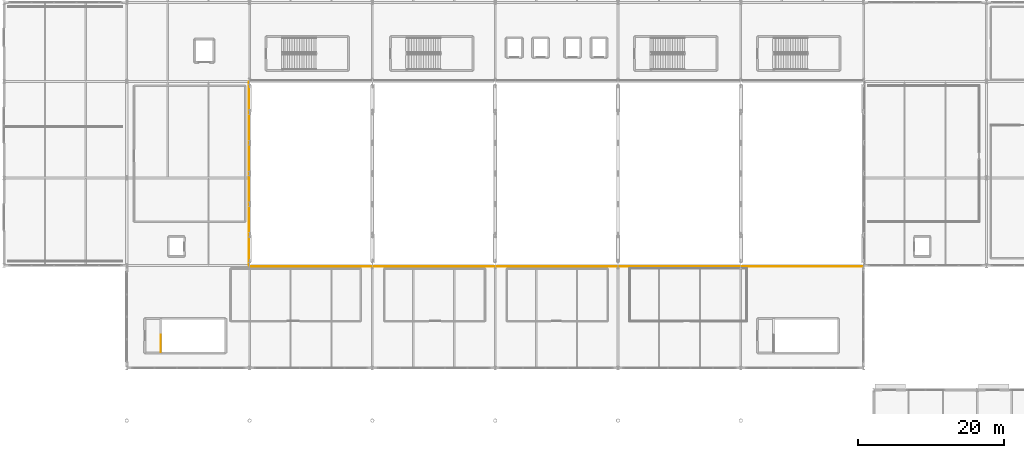
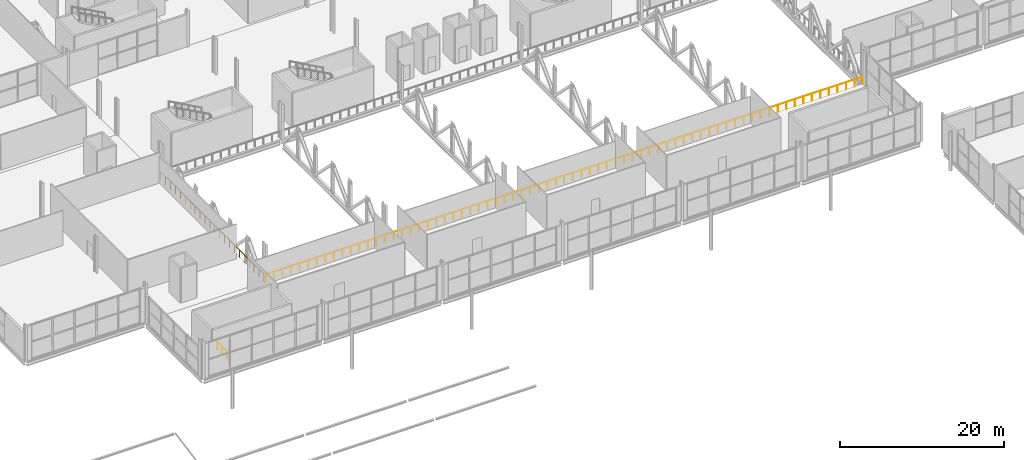
# One storey, part 70 of 84: 3 railings.
"""IFC4 building model written with IfcOpenShell, lengths in metres."""

from ifc_helpers import new_model, si_unit, direction, frame, origin, origin_2d, place, context, subcontext, project, spatial, circle, extrude, material, type_object, element, save


model = new_model("IFC4")

# Units and contexts
model_context = context("Model", 3, precision=1e-05, world=origin(), true_north=direction((0.0, 1.0)))
body_context = subcontext(model_context, "Body", "Model", "MODEL_VIEW")
ifc_project = project(units=[si_unit("LENGTHUNIT", "METRE"), si_unit("AREAUNIT", "SQUARE_METRE"), si_unit("VOLUMEUNIT", "CUBIC_METRE"), si_unit("PLANEANGLEUNIT", "RADIAN"), si_unit("MASSUNIT", "GRAM", prefix="KILO")], contexts=[model_context])

# Site, building, storey
site_placement = place(None, origin())
site = spatial("IfcSite", under=ifc_project, at=site_placement, CompositionType="ELEMENT")
building_placement = place(site_placement, origin())
building = spatial("IfcBuilding", under=site, at=building_placement, Name="Kimbaza Rail Terminus", CompositionType="ELEMENT")
storey_placement = place(building_placement, frame((0.0, 0.0, 5.39990234375)))
storey = spatial("IfcBuildingStorey", under=building, at=storey_placement, Name="L01", CompositionType="ELEMENT", Elevation=5.39990234375)

# Railings
ifc_material_1 = material(Name="Stainless steel atrium balustrade", Category="steel")
railing_type_1 = type_object("IfcRailingType", Name="ARC-RL-GRDI12", PredefinedType="GUARDRAIL", material=ifc_material_1)
railing_1_placement = place(storey_placement, frame((72.050048828125, 54.89990234375, 0.0)))
element("IfcRailing", 1, at=railing_1_placement, inside=storey, type_object=railing_type_1, Name="Safety Balustrade GRD-ATR-S", PredefinedType="GUARDRAIL", context=body_context, shape_type="SweptSolid", body=[
    extrude(circle(Radius=0.02392578125, at=origin_2d()), frame((0.0, 0.0, 1.10595703125), z_axis=(1.0, 0.0, 0.0), x_axis=(0.0, 1.0, 0.0)), (0.0, 0.0, 1.0), 83.89990234375),
    extrude(circle(Radius=0.02099609375, at=origin_2d()), origin(), (0.0, 0.0, 1.0), 1.081787109375),
    extrude(circle(Radius=0.02099609375, at=origin_2d()), frame((1.198486328125, 0.0, 0.0)), (0.0, 0.0, 1.0), 1.081787109375),
    extrude(circle(Radius=0.02099609375, at=origin_2d()), frame((2.397216796875, 0.0, 0.0)), (0.0, 0.0, 1.0), 1.081787109375),
    extrude(circle(Radius=0.02099609375, at=origin_2d()), frame((3.595703125, 0.0, 0.0)), (0.0, 0.0, 1.0), 1.081787109375),
    extrude(circle(Radius=0.02099609375, at=origin_2d()), frame((4.794189453125, 0.0, 0.0)), (0.0, 0.0, 1.0), 1.081787109375),
    extrude(circle(Radius=0.02099609375, at=origin_2d()), frame((5.992919921875, 0.0, 0.0)), (0.0, 0.0, 1.0), 1.081787109375),
    extrude(circle(Radius=0.02099609375, at=origin_2d()), frame((7.19140625, 0.0, 0.0)), (0.0, 0.0, 1.0), 1.081787109375),
    extrude(circle(Radius=0.02099609375, at=origin_2d()), frame((8.389892578125, 0.0, 0.0)), (0.0, 0.0, 1.0), 1.081787109375),
    extrude(circle(Radius=0.02099609375, at=origin_2d()), frame((9.588623046875, 0.0, 0.0)), (0.0, 0.0, 1.0), 1.081787109375),
    extrude(circle(Radius=0.02099609375, at=origin_2d()), frame((10.787109375, 0.0, 0.0)), (0.0, 0.0, 1.0), 1.081787109375),
    extrude(circle(Radius=0.02099609375, at=origin_2d()), frame((11.985595703125, 0.0, 0.0)), (0.0, 0.0, 1.0), 1.081787109375),
    extrude(circle(Radius=0.02099609375, at=origin_2d()), frame((13.184326171875, 0.0, 0.0)), (0.0, 0.0, 1.0), 1.081787109375),
    extrude(circle(Radius=0.02099609375, at=origin_2d()), frame((14.3828125, 0.0, 0.0)), (0.0, 0.0, 1.0), 1.081787109375),
    extrude(circle(Radius=0.02099609375, at=origin_2d()), frame((15.581298828125, 0.0, 0.0)), (0.0, 0.0, 1.0), 1.081787109375),
    extrude(circle(Radius=0.02099609375, at=origin_2d()), frame((16.780029296875, 0.0, 0.0)), (0.0, 0.0, 1.0), 1.081787109375),
    extrude(circle(Radius=0.02099609375, at=origin_2d()), frame((17.978515625, 0.0, 0.0)), (0.0, 0.0, 1.0), 1.081787109375),
    extrude(circle(Radius=0.02099609375, at=origin_2d()), frame((19.177001953125, 0.0, 0.0)), (0.0, 0.0, 1.0), 1.081787109375),
    extrude(circle(Radius=0.02099609375, at=origin_2d()), frame((20.375732421875, 0.0, 0.0)), (0.0, 0.0, 1.0), 1.081787109375),
    extrude(circle(Radius=0.02099609375, at=origin_2d()), frame((21.57421875, 0.0, 0.0)), (0.0, 0.0, 1.0), 1.081787109375),
    extrude(circle(Radius=0.02099609375, at=origin_2d()), frame((22.77294921875, 0.0, 0.0)), (0.0, 0.0, 1.0), 1.081787109375),
    extrude(circle(Radius=0.02099609375, at=origin_2d()), frame((23.971435546875, 0.0, 0.0)), (0.0, 0.0, 1.0), 1.081787109375),
    extrude(circle(Radius=0.02099609375, at=origin_2d()), frame((25.169921875, 0.0, 0.0)), (0.0, 0.0, 1.0), 1.081787109375),
    extrude(circle(Radius=0.02099609375, at=origin_2d()), frame((26.36865234375, 0.0, 0.0)), (0.0, 0.0, 1.0), 1.081787109375),
    extrude(circle(Radius=0.02099609375, at=origin_2d()), frame((27.567138671875, 0.0, 0.0)), (0.0, 0.0, 1.0), 1.081787109375),
    extrude(circle(Radius=0.02099609375, at=origin_2d()), frame((28.765625, 0.0, 0.0)), (0.0, 0.0, 1.0), 1.081787109375),
    extrude(circle(Radius=0.02099609375, at=origin_2d()), frame((29.96435546875, 0.0, 0.0)), (0.0, 0.0, 1.0), 1.081787109375),
    extrude(circle(Radius=0.02099609375, at=origin_2d()), frame((31.162841796875, 0.0, 0.0)), (0.0, 0.0, 1.0), 1.081787109375),
    extrude(circle(Radius=0.02099609375, at=origin_2d()), frame((32.361328125, 0.0, 0.0)), (0.0, 0.0, 1.0), 1.081787109375),
    extrude(circle(Radius=0.02099609375, at=origin_2d()), frame((33.56005859375, 0.0, 0.0)), (0.0, 0.0, 1.0), 1.081787109375),
    extrude(circle(Radius=0.02099609375, at=origin_2d()), frame((34.758544921875, 0.0, 0.0)), (0.0, 0.0, 1.0), 1.081787109375),
    extrude(circle(Radius=0.02099609375, at=origin_2d()), frame((35.95703125, 0.0, 0.0)), (0.0, 0.0, 1.0), 1.081787109375),
    extrude(circle(Radius=0.02099609375, at=origin_2d()), frame((37.15576171875, 0.0, 0.0)), (0.0, 0.0, 1.0), 1.081787109375),
    extrude(circle(Radius=0.02099609375, at=origin_2d()), frame((38.354248046875, 0.0, 0.0)), (0.0, 0.0, 1.0), 1.081787109375),
    extrude(circle(Radius=0.02099609375, at=origin_2d()), frame((39.552734375, 0.0, 0.0)), (0.0, 0.0, 1.0), 1.081787109375),
    extrude(circle(Radius=0.02099609375, at=origin_2d()), frame((40.75146484375, 0.0, 0.0)), (0.0, 0.0, 1.0), 1.081787109375),
    extrude(circle(Radius=0.02099609375, at=origin_2d()), frame((41.949951171875, 0.0, 0.0)), (0.0, 0.0, 1.0), 1.081787109375),
    extrude(circle(Radius=0.02099609375, at=origin_2d()), frame((43.1484375, 0.0, 0.0)), (0.0, 0.0, 1.0), 1.081787109375),
    extrude(circle(Radius=0.02099609375, at=origin_2d()), frame((44.34716796875, 0.0, 0.0)), (0.0, 0.0, 1.0), 1.081787109375),
    extrude(circle(Radius=0.02099609375, at=origin_2d()), frame((45.545654296875, 0.0, 0.0)), (0.0, 0.0, 1.0), 1.081787109375),
    extrude(circle(Radius=0.02099609375, at=origin_2d()), frame((46.744140625, 0.0, 0.0)), (0.0, 0.0, 1.0), 1.081787109375),
    extrude(circle(Radius=0.02099609375, at=origin_2d()), frame((47.94287109375, 0.0, 0.0)), (0.0, 0.0, 1.0), 1.081787109375),
    extrude(circle(Radius=0.02099609375, at=origin_2d()), frame((49.141357421875, 0.0, 0.0)), (0.0, 0.0, 1.0), 1.081787109375),
    extrude(circle(Radius=0.02099609375, at=origin_2d()), frame((50.33984375, 0.0, 0.0)), (0.0, 0.0, 1.0), 1.081787109375),
    extrude(circle(Radius=0.02099609375, at=origin_2d()), frame((51.53857421875, 0.0, 0.0)), (0.0, 0.0, 1.0), 1.081787109375),
    extrude(circle(Radius=0.02099609375, at=origin_2d()), frame((52.737060546875, 0.0, 0.0)), (0.0, 0.0, 1.0), 1.081787109375),
    extrude(circle(Radius=0.02099609375, at=origin_2d()), frame((53.935546875, 0.0, 0.0)), (0.0, 0.0, 1.0), 1.081787109375),
    extrude(circle(Radius=0.02099609375, at=origin_2d()), frame((55.13427734375, 0.0, 0.0)), (0.0, 0.0, 1.0), 1.081787109375),
    extrude(circle(Radius=0.02099609375, at=origin_2d()), frame((56.332763671875, 0.0, 0.0)), (0.0, 0.0, 1.0), 1.081787109375),
    extrude(circle(Radius=0.02099609375, at=origin_2d()), frame((57.53125, 0.0, 0.0)), (0.0, 0.0, 1.0), 1.081787109375),
    extrude(circle(Radius=0.02099609375, at=origin_2d()), frame((58.72998046875, 0.0, 0.0)), (0.0, 0.0, 1.0), 1.081787109375),
    extrude(circle(Radius=0.02099609375, at=origin_2d()), frame((59.928466796875, 0.0, 0.0)), (0.0, 0.0, 1.0), 1.081787109375),
    extrude(circle(Radius=0.02099609375, at=origin_2d()), frame((61.126953125, 0.0, 0.0)), (0.0, 0.0, 1.0), 1.081787109375),
    extrude(circle(Radius=0.02099609375, at=origin_2d()), frame((62.32568359375, 0.0, 0.0)), (0.0, 0.0, 1.0), 1.081787109375),
    extrude(circle(Radius=0.02099609375, at=origin_2d()), frame((63.524169921875, 0.0, 0.0)), (0.0, 0.0, 1.0), 1.081787109375),
    extrude(circle(Radius=0.02099609375, at=origin_2d()), frame((64.722900390625, 0.0, 0.0)), (0.0, 0.0, 1.0), 1.081787109375),
    extrude(circle(Radius=0.02099609375, at=origin_2d()), frame((65.92138671875, 0.0, 0.0)), (0.0, 0.0, 1.0), 1.081787109375),
    extrude(circle(Radius=0.02099609375, at=origin_2d()), frame((67.119873046875, 0.0, 0.0)), (0.0, 0.0, 1.0), 1.081787109375),
    extrude(circle(Radius=0.02099609375, at=origin_2d()), frame((68.318603515625, 0.0, 0.0)), (0.0, 0.0, 1.0), 1.081787109375),
    extrude(circle(Radius=0.02099609375, at=origin_2d()), frame((69.51708984375, 0.0, 0.0)), (0.0, 0.0, 1.0), 1.081787109375),
    extrude(circle(Radius=0.02099609375, at=origin_2d()), frame((70.715576171875, 0.0, 0.0)), (0.0, 0.0, 1.0), 1.081787109375),
    extrude(circle(Radius=0.02099609375, at=origin_2d()), frame((71.914306640625, 0.0, 0.0)), (0.0, 0.0, 1.0), 1.081787109375),
    extrude(circle(Radius=0.02099609375, at=origin_2d()), frame((73.11279296875, 0.0, 0.0)), (0.0, 0.0, 1.0), 1.081787109375),
    extrude(circle(Radius=0.02099609375, at=origin_2d()), frame((74.311279296875, 0.0, 0.0)), (0.0, 0.0, 1.0), 1.081787109375),
    extrude(circle(Radius=0.02099609375, at=origin_2d()), frame((75.510009765625, 0.0, 0.0)), (0.0, 0.0, 1.0), 1.081787109375),
    extrude(circle(Radius=0.02099609375, at=origin_2d()), frame((76.70849609375, 0.0, 0.0)), (0.0, 0.0, 1.0), 1.081787109375),
    extrude(circle(Radius=0.02099609375, at=origin_2d()), frame((77.906982421875, 0.0, 0.0)), (0.0, 0.0, 1.0), 1.081787109375),
    extrude(circle(Radius=0.02099609375, at=origin_2d()), frame((79.105712890625, 0.0, 0.0)), (0.0, 0.0, 1.0), 1.081787109375),
    extrude(circle(Radius=0.02099609375, at=origin_2d()), frame((80.30419921875, 0.0, 0.0)), (0.0, 0.0, 1.0), 1.081787109375),
    extrude(circle(Radius=0.02099609375, at=origin_2d()), frame((81.502685546875, 0.0, 0.0)), (0.0, 0.0, 1.0), 1.081787109375),
    extrude(circle(Radius=0.02099609375, at=origin_2d()), frame((82.701416015625, 0.0, 0.0)), (0.0, 0.0, 1.0), 1.081787109375),
    extrude(circle(Radius=0.02099609375, at=origin_2d()), frame((83.89990234375, 0.0, 0.0)), (0.0, 0.0, 1.0), 1.081787109375),
])
railing_2_placement = place(storey_placement, frame((71.89990234375, 80.14990234375, 0.0)))
element("IfcRailing", 2, at=railing_2_placement, inside=storey, type_object=railing_type_1, Name="Safety Balustrade GRD-ATR-W", PredefinedType="GUARDRAIL", context=body_context, shape_type="SweptSolid", body=[
    extrude(circle(Radius=0.02392578125, at=origin_2d()), frame((0.0, 0.0, 1.10595703125), z_axis=(0.0, -1.0, 0.0), x_axis=(1.0, 0.0, 0.0)), (0.0, 0.0, 1.0), 25.099853515625),
    extrude(circle(Radius=0.02099609375, at=origin_2d()), origin(), (0.0, 0.0, 1.0), 1.081787109375),
    extrude(circle(Radius=0.02099609375, at=origin_2d()), frame((0.0, -1.1953125, 0.0)), (0.0, 0.0, 1.0), 1.081787109375),
    extrude(circle(Radius=0.02099609375, at=origin_2d()), frame((0.0, -2.390380859375, 0.0)), (0.0, 0.0, 1.0), 1.081787109375),
    extrude(circle(Radius=0.02099609375, at=origin_2d()), frame((0.0, -3.585693359375, 0.0)), (0.0, 0.0, 1.0), 1.081787109375),
    extrude(circle(Radius=0.02099609375, at=origin_2d()), frame((0.0, -4.781005859375, 0.0)), (0.0, 0.0, 1.0), 1.081787109375),
    extrude(circle(Radius=0.02099609375, at=origin_2d()), frame((0.0, -5.97607421875, 0.0)), (0.0, 0.0, 1.0), 1.081787109375),
    extrude(circle(Radius=0.02099609375, at=origin_2d()), frame((0.0, -7.17138671875, 0.0)), (0.0, 0.0, 1.0), 1.081787109375),
    extrude(circle(Radius=0.02099609375, at=origin_2d()), frame((0.0, -8.36669921875, 0.0)), (0.0, 0.0, 1.0), 1.081787109375),
    extrude(circle(Radius=0.02099609375, at=origin_2d()), frame((0.0, -9.561767578125, 0.0)), (0.0, 0.0, 1.0), 1.081787109375),
    extrude(circle(Radius=0.02099609375, at=origin_2d()), frame((0.0, -10.757080078125, 0.0)), (0.0, 0.0, 1.0), 1.081787109375),
    extrude(circle(Radius=0.02099609375, at=origin_2d()), frame((0.0, -11.952392578125, 0.0)), (0.0, 0.0, 1.0), 1.081787109375),
    extrude(circle(Radius=0.02099609375, at=origin_2d()), frame((0.0, -13.1474609375, 0.0)), (0.0, 0.0, 1.0), 1.081787109375),
    extrude(circle(Radius=0.02099609375, at=origin_2d()), frame((0.0, -14.3427734375, 0.0)), (0.0, 0.0, 1.0), 1.081787109375),
    extrude(circle(Radius=0.02099609375, at=origin_2d()), frame((0.0, -15.5380859375, 0.0)), (0.0, 0.0, 1.0), 1.081787109375),
    extrude(circle(Radius=0.02099609375, at=origin_2d()), frame((0.0, -16.733154296875, 0.0)), (0.0, 0.0, 1.0), 1.081787109375),
    extrude(circle(Radius=0.02099609375, at=origin_2d()), frame((0.0, -17.928466796875, 0.0)), (0.0, 0.0, 1.0), 1.081787109375),
    extrude(circle(Radius=0.02099609375, at=origin_2d()), frame((0.0, -19.123779296875, 0.0)), (0.0, 0.0, 1.0), 1.081787109375),
    extrude(circle(Radius=0.02099609375, at=origin_2d()), frame((0.0, -20.31884765625, 0.0)), (0.0, 0.0, 1.0), 1.081787109375),
    extrude(circle(Radius=0.02099609375, at=origin_2d()), frame((0.0, -21.51416015625, 0.0)), (0.0, 0.0, 1.0), 1.081787109375),
    extrude(circle(Radius=0.02099609375, at=origin_2d()), frame((0.0, -22.70947265625, 0.0)), (0.0, 0.0, 1.0), 1.081787109375),
    extrude(circle(Radius=0.02099609375, at=origin_2d()), frame((0.0, -23.904541015625, 0.0)), (0.0, 0.0, 1.0), 1.081787109375),
    extrude(circle(Radius=0.02099609375, at=origin_2d()), frame((0.0, -25.099853515625, 0.0)), (0.0, 0.0, 1.0), 1.081787109375),
])
ifc_material_2 = material(Name="Painted tubular steel stair well guard", Category="steel")
railing_type_2 = type_object("IfcRailingType", Name="ARC-RL-STGRD", PredefinedType="GUARDRAIL", material=ifc_material_2)
railing_3_placement = place(storey_placement, frame((59.85009765625, 43.199951171875, 0.0)))
element("IfcRailing", 3, at=railing_3_placement, inside=storey, type_object=railing_type_2, Name="L01 ST-S1 top well guard 1", PredefinedType="GUARDRAIL", context=body_context, shape_type="SweptSolid", body=[
    extrude(circle(Radius=0.02392578125, at=origin_2d()), frame((0.0, 0.0, 1.09619140625), z_axis=(0.0, 1.0, 0.0), x_axis=(-1.0, 0.0, 0.0)), (0.0, 0.0, 1.0), 2.300048828125),
    extrude(circle(Radius=0.02099609375, at=origin_2d()), origin(), (0.0, 0.0, 1.0), 1.072021484375),
    extrude(circle(Radius=0.02099609375, at=origin_2d()), frame((0.0, 1.14990234375, 0.0)), (0.0, 0.0, 1.0), 1.072021484375),
    extrude(circle(Radius=0.02099609375, at=origin_2d()), frame((0.0, 2.300048828125, 0.0)), (0.0, 0.0, 1.0), 1.072021484375),
])

save(model, "model.ifc")
